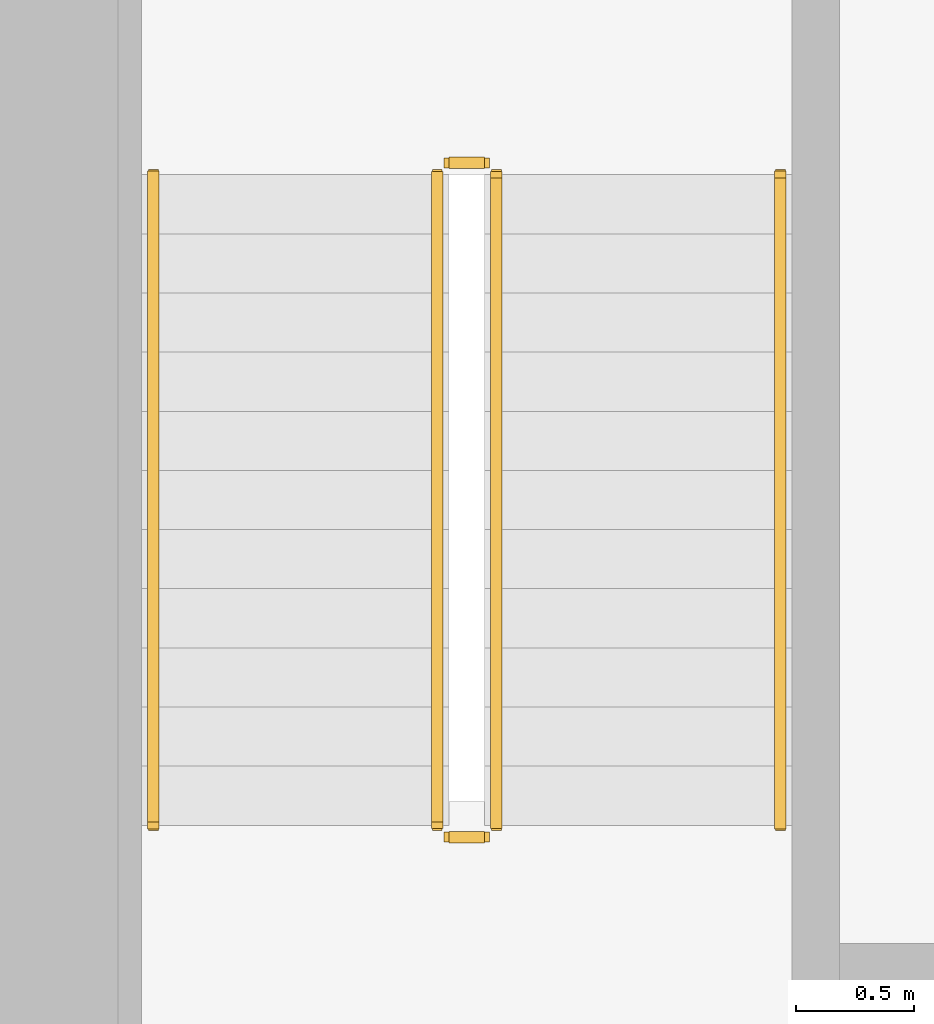
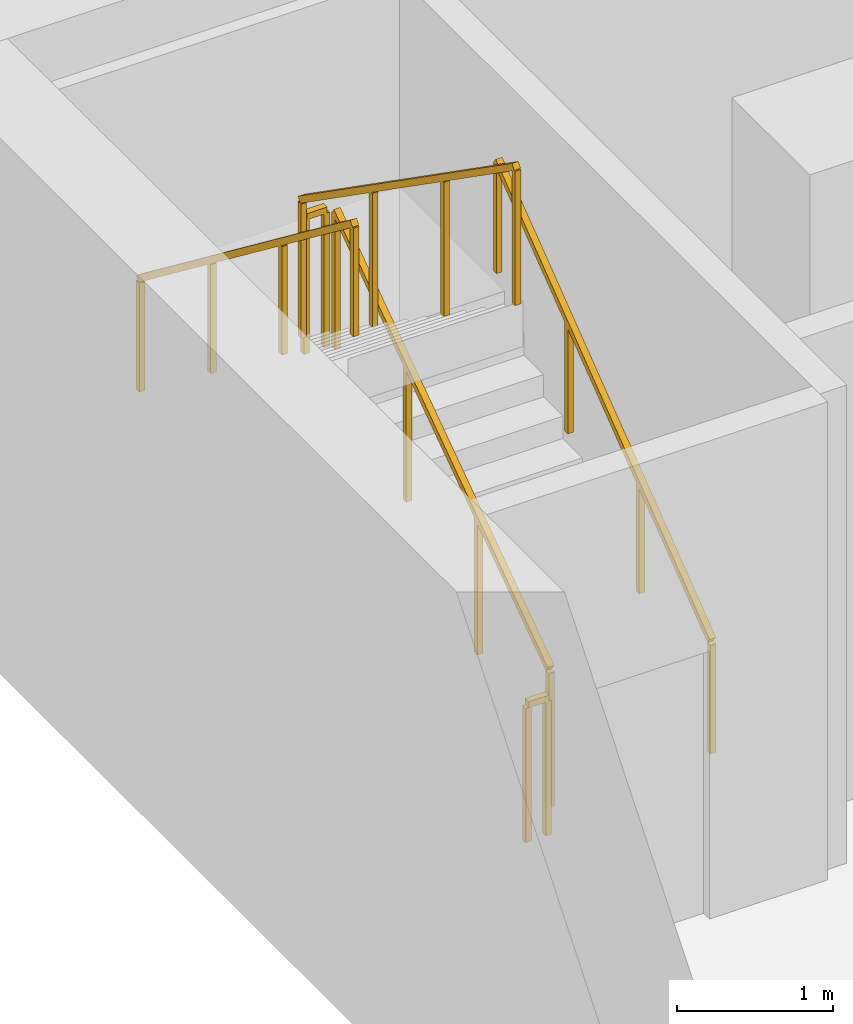
# One storey, part 18 of 20: 6 railings.
"""IFC4 building model written with IfcOpenShell, lengths in metres."""

from ifc_helpers import new_model, si_unit, direction, frame, origin, origin_2d, place, context, subcontext, project, spatial, rectangle, extrude, material, type_object, element, save


model = new_model("IFC4")

# Units and contexts
model_context = context("Model", 3, precision=1e-05, world=origin(), true_north=direction((0.0, 1.0)))
body_context = subcontext(model_context, "Body", "Model", "MODEL_VIEW")
ifc_project = project(units=[si_unit("LENGTHUNIT", "METRE"), si_unit("AREAUNIT", "SQUARE_METRE"), si_unit("VOLUMEUNIT", "CUBIC_METRE"), si_unit("PLANEANGLEUNIT", "RADIAN"), si_unit("MASSUNIT", "GRAM", prefix="KILO")], contexts=[model_context])

# Site, building, storey
site_placement = place(None, origin())
site = spatial("IfcSite", under=ifc_project, at=site_placement, CompositionType="ELEMENT")
building_placement = place(site_placement, origin())
building = spatial("IfcBuilding", under=site, at=building_placement, Name="Beryl Residences", CompositionType="ELEMENT")
storey_placement = place(building_placement, frame((0.0, 0.0, -4.199951171875)))
storey = spatial("IfcBuildingStorey", under=building, at=storey_placement, Name="B1", CompositionType="ELEMENT", Elevation=-4.199951171875)

# Railings
ifc_material_1 = material(Name="Stainless steel balustrade with glass infill", Category="steel")
railing_type_1 = type_object("IfcRailingType", Name="SG1 stair guard 1100 mm", PredefinedType="GUARDRAIL", material=ifc_material_1)
railing_1_placement = place(storey_placement, frame((-45.800048828125, 35.199951171875, 0.175048828125)))
element("IfcRailing", 1, at=railing_1_placement, inside=storey, type_object=railing_type_1, Name="B1 BS-1 stair guard 1", PredefinedType="GUARDRAIL", context=body_context, shape_type="SweptSolid", body=[
    extrude(rectangle(XDim=0.048095703125, YDim=0.048095703125, at=origin_2d()), frame((0.0, 0.0, 1.076171875), z_axis=(0.0, 0.819259255306, 0.573423292687), x_axis=(-1.0, 0.0, 0.0)), (0.0, 0.0, 1.0), 3.356689453125),
    extrude(rectangle(XDim=0.0419921875, YDim=0.0419921875, at=origin_2d()), origin(), (0.0, 0.0, 1.0), 1.052001953125),
    extrude(rectangle(XDim=0.0419921875, YDim=0.0419921875, at=origin_2d()), frame((0.0, 0.916748046875, 0.6416015625)), (0.0, 0.0, 1.0), 1.052001953125),
    extrude(rectangle(XDim=0.0419921875, YDim=0.0419921875, at=origin_2d()), frame((0.0, 1.833251953125, 1.283203125)), (0.0, 0.0, 1.0), 1.052001953125),
    extrude(rectangle(XDim=0.0419921875, YDim=0.0419921875, at=origin_2d()), frame((0.0, 2.75, 1.9248046875)), (0.0, 0.0, 1.0), 1.052001953125),
])
railing_2_placement = place(storey_placement, frame((-45.85009765625, 38.0, 2.099853515625)))
element("IfcRailing", 2, at=railing_2_placement, inside=storey, type_object=railing_type_1, Name="B1 BS-1 stair guard 2", PredefinedType="GUARDRAIL", context=body_context, shape_type="SweptSolid", body=[
    extrude(rectangle(XDim=0.048095703125, YDim=0.048095703125, at=origin_2d()), frame((0.0, 0.0, 1.076171875), z_axis=(-1.0, 0.0, 0.0), x_axis=(0.0, -1.0, 0.0)), (0.0, 0.0, 1.0), 0.14990234375),
    extrude(rectangle(XDim=0.0419921875, YDim=0.0419921875, at=origin_2d()), origin(), (0.0, 0.0, 1.0), 1.052001953125),
    extrude(rectangle(XDim=0.0419921875, YDim=0.0419921875, at=origin_2d()), frame((-0.14990234375, 0.0, 0.0)), (0.0, 0.0, 1.0), 1.052001953125),
])
railing_3_placement = place(storey_placement, frame((-46.050048828125, 37.949951171875, 2.27490234375)))
element("IfcRailing", 3, at=railing_3_placement, inside=storey, type_object=railing_type_1, Name="B1 BS-1 stair guard 3", PredefinedType="GUARDRAIL", context=body_context, shape_type="SweptSolid", body=[
    extrude(rectangle(XDim=0.048095703125, YDim=0.048095703125, at=origin_2d()), frame((0.0, 0.0, 1.076171875), z_axis=(0.0, -0.819225086817, 0.573472106672), x_axis=(1.0, 0.0, 0.0)), (0.0, 0.0, 1.0), 3.35693359375),
    extrude(rectangle(XDim=0.0419921875, YDim=0.0419921875, at=origin_2d()), origin(), (0.0, 0.0, 1.0), 1.052001953125),
    extrude(rectangle(XDim=0.0419921875, YDim=0.0419921875, at=origin_2d()), frame((0.0, -0.916748046875, 0.6416015625)), (0.0, 0.0, 1.0), 1.052001953125),
    extrude(rectangle(XDim=0.0419921875, YDim=0.0419921875, at=origin_2d()), frame((0.0, -1.833251953125, 1.283447265625)), (0.0, 0.0, 1.0), 1.052001953125),
    extrude(rectangle(XDim=0.0419921875, YDim=0.0419921875, at=origin_2d()), frame((0.0, -2.75, 1.925048828125)), (0.0, 0.0, 1.0), 1.052001953125),
])
railing_4_placement = place(storey_placement, frame((-45.85009765625, 35.14990234375, 0.0)))
element("IfcRailing", 4, at=railing_4_placement, inside=storey, type_object=railing_type_1, Name="B1 BS-1 stair guard 4", PredefinedType="GUARDRAIL", context=body_context, shape_type="SweptSolid", body=[
    extrude(rectangle(XDim=0.048095703125, YDim=0.048095703125, at=origin_2d()), frame((0.0, 0.0, 1.076171875), z_axis=(-1.0, 0.0, 0.0), x_axis=(0.0, -1.0, 0.0)), (0.0, 0.0, 1.0), 0.14990234375),
    extrude(rectangle(XDim=0.0419921875, YDim=0.0419921875, at=origin_2d()), origin(), (0.0, 0.0, 1.0), 1.052001953125),
    extrude(rectangle(XDim=0.0419921875, YDim=0.0419921875, at=origin_2d()), frame((-0.14990234375, 0.0, 0.0)), (0.0, 0.0, 1.0), 1.052001953125),
])
ifc_material_2 = material(Name="Stainless steel handrail", Category="steel")
railing_type_2 = type_object("IfcRailingType", Name="SRL1 stair handrail 900 mm", PredefinedType="HANDRAIL", material=ifc_material_2)
railing_5_placement = place(storey_placement, frame((-44.60009765625, 35.199951171875, 0.175048828125)))
element("IfcRailing", 5, at=railing_5_placement, inside=storey, type_object=railing_type_2, Name="B1 BS-1 stair handrail 1", PredefinedType="HANDRAIL", context=body_context, shape_type="SweptSolid", body=[
    extrude(rectangle(XDim=0.048095703125, YDim=0.048095703125, at=origin_2d()), frame((0.0, 0.0, 0.8759765625), z_axis=(0.0, 0.794788234485, 0.606886861222), x_axis=(-1.0, 0.0, 0.0)), (0.0, 0.0, 1.0), 3.4599609375),
    extrude(rectangle(XDim=0.0419921875, YDim=0.0419921875, at=origin_2d()), origin(), (0.0, 0.0, 1.0), 0.851806640625),
    extrude(rectangle(XDim=0.0419921875, YDim=0.0419921875, at=origin_2d()), frame((0.0, 0.916748046875, 0.699951171875)), (0.0, 0.0, 1.0), 0.851806640625),
    extrude(rectangle(XDim=0.0419921875, YDim=0.0419921875, at=origin_2d()), frame((0.0, 1.833251953125, 1.39990234375)), (0.0, 0.0, 1.0), 0.851806640625),
    extrude(rectangle(XDim=0.0419921875, YDim=0.0419921875, at=origin_2d()), frame((0.0, 2.75, 2.099853515625)), (0.0, 0.0, 1.0), 0.851806640625),
])
railing_6_placement = place(storey_placement, frame((-47.25, 37.949951171875, 2.27490234375)))
element("IfcRailing", 6, at=railing_6_placement, inside=storey, type_object=railing_type_2, Name="B1 BS-1 stair handrail 2", PredefinedType="HANDRAIL", context=body_context, shape_type="SweptSolid", body=[
    extrude(rectangle(XDim=0.048095703125, YDim=0.048095703125, at=origin_2d()), frame((0.0, 0.0, 0.8759765625), z_axis=(0.0, -0.794754200304, 0.60693143031), x_axis=(1.0, 0.0, 0.0)), (0.0, 0.0, 1.0), 3.460205078125),
    extrude(rectangle(XDim=0.0419921875, YDim=0.0419921875, at=origin_2d()), origin(), (0.0, 0.0, 1.0), 0.851806640625),
    extrude(rectangle(XDim=0.0419921875, YDim=0.0419921875, at=origin_2d()), frame((0.0, -0.916748046875, 0.699951171875)), (0.0, 0.0, 1.0), 0.851806640625),
    extrude(rectangle(XDim=0.0419921875, YDim=0.0419921875, at=origin_2d()), frame((0.0, -1.833251953125, 1.400146484375)), (0.0, 0.0, 1.0), 0.851806640625),
    extrude(rectangle(XDim=0.0419921875, YDim=0.0419921875, at=origin_2d()), frame((0.0, -2.75, 2.10009765625)), (0.0, 0.0, 1.0), 0.851806640625),
])

save(model, "model.ifc")
